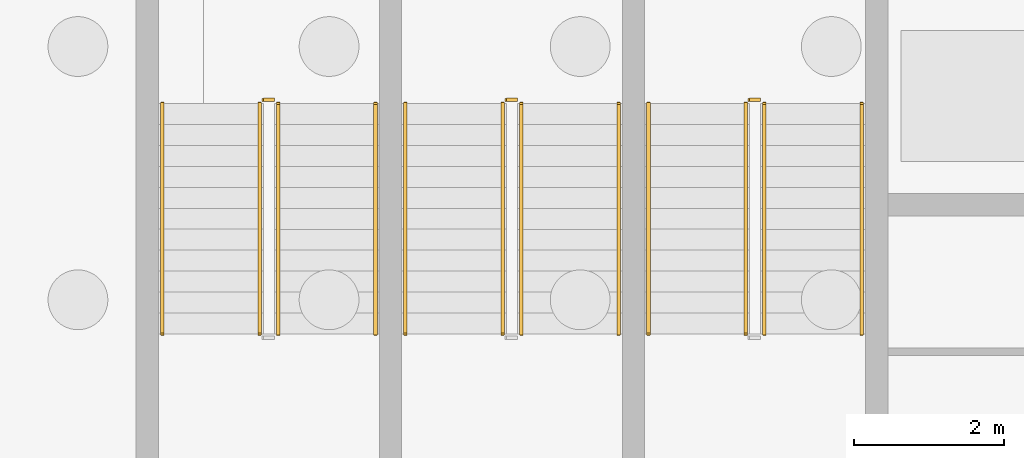
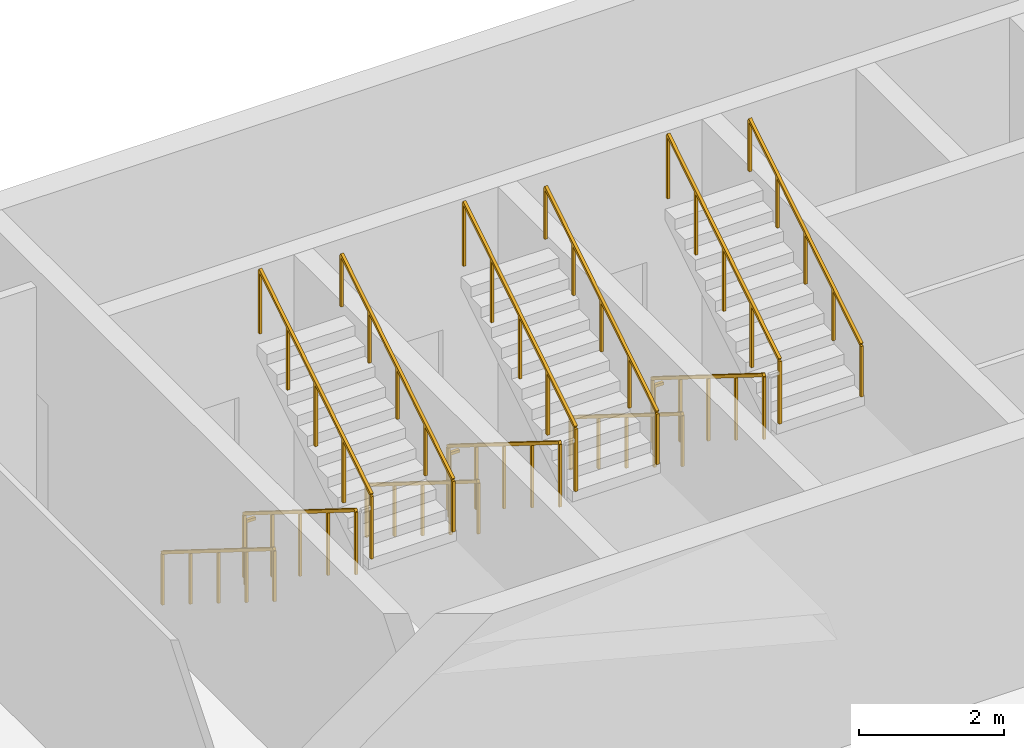
# One storey, part 28 of 32: 15 railings.
"""IFC4 building model written with IfcOpenShell, lengths in metres."""

from ifc_helpers import new_model, si_unit, direction, frame, origin, origin_2d, place, context, subcontext, project, spatial, rectangle, extrude, material, type_object, element, save


model = new_model("IFC4")

# Units and contexts
model_context = context("Model", 3, precision=1e-05, world=origin(), true_north=direction((0.0, 1.0)))
body_context = subcontext(model_context, "Body", "Model", "MODEL_VIEW")
ifc_project = project(units=[si_unit("LENGTHUNIT", "METRE"), si_unit("AREAUNIT", "SQUARE_METRE"), si_unit("VOLUMEUNIT", "CUBIC_METRE"), si_unit("PLANEANGLEUNIT", "RADIAN"), si_unit("MASSUNIT", "GRAM", prefix="KILO")], contexts=[model_context])

# Site, building, storey
site_placement = place(None, origin())
site = spatial("IfcSite", under=ifc_project, at=site_placement, CompositionType="ELEMENT")
building_placement = place(site_placement, origin())
building = spatial("IfcBuilding", under=site, at=building_placement, Name="Noorbagh Ring Tower", CompositionType="ELEMENT")
storey_placement = place(building_placement, frame((0.0, 0.0, -4.199951171875)))
storey = spatial("IfcBuildingStorey", under=building, at=storey_placement, Name="B1", CompositionType="ELEMENT", Elevation=-4.199951171875)

# Railings
ifc_material_1 = material(Name="Stainless steel", Category="steel")
railing_type_1 = type_object("IfcRailingType", Name="TH-STAIR-GUARD", PredefinedType="GUARDRAIL", material=ifc_material_1)
railing_1_placement = place(storey_placement, frame((-123.5, 26.25, 0.175048828125)))
element("IfcRailing", 1, at=railing_1_placement, inside=storey, type_object=railing_type_1, Name="B1 TSN1 stair guard 1", PredefinedType="GUARDRAIL", context=body_context, shape_type="SweptSolid", body=[
    extrude(rectangle(XDim=0.048095703125, YDim=0.048095703125, at=origin_2d()), frame((0.0, 0.0, 1.076171875), z_axis=(0.0, -0.848028513186, 0.529950602248), x_axis=(1.0, 0.0, 0.0)), (0.0, 0.0, 1.0), 3.632080078125),
    extrude(rectangle(XDim=0.0419921875, YDim=0.0419921875, at=origin_2d()), origin(), (0.0, 0.0, 1.0), 1.052001953125),
    extrude(rectangle(XDim=0.0419921875, YDim=0.0419921875, at=origin_2d()), frame((0.0, -0.77001953125, 0.481201171875)), (0.0, 0.0, 1.0), 1.052001953125),
    extrude(rectangle(XDim=0.0419921875, YDim=0.0419921875, at=origin_2d()), frame((0.0, -1.5400390625, 0.96240234375)), (0.0, 0.0, 1.0), 1.052001953125),
    extrude(rectangle(XDim=0.0419921875, YDim=0.0419921875, at=origin_2d()), frame((0.0, -2.31005859375, 1.443603515625)), (0.0, 0.0, 1.0), 1.052001953125),
    extrude(rectangle(XDim=0.0419921875, YDim=0.0419921875, at=origin_2d()), frame((0.0, -3.080078125, 1.9248046875)), (0.0, 0.0, 1.0), 1.052001953125),
])
railing_2_placement = place(storey_placement, frame((-123.25, 23.169921875, 2.27490234375)))
element("IfcRailing", 2, at=railing_2_placement, inside=storey, type_object=railing_type_1, Name="B1 TSN1 stair guard 3", PredefinedType="GUARDRAIL", context=body_context, shape_type="SweptSolid", body=[
    extrude(rectangle(XDim=0.048095703125, YDim=0.048095703125, at=origin_2d()), frame((0.0, 0.0, 1.076171875), z_axis=(0.0, 0.847998304005, 0.529998940003), x_axis=(-1.0, 0.0, 0.0)), (0.0, 0.0, 1.0), 3.632080078125),
    extrude(rectangle(XDim=0.0419921875, YDim=0.0419921875, at=origin_2d()), origin(), (0.0, 0.0, 1.0), 1.052001953125),
    extrude(rectangle(XDim=0.0419921875, YDim=0.0419921875, at=origin_2d()), frame((0.0, 0.77001953125, 0.481201171875)), (0.0, 0.0, 1.0), 1.052001953125),
    extrude(rectangle(XDim=0.0419921875, YDim=0.0419921875, at=origin_2d()), frame((0.0, 1.5400390625, 0.96240234375)), (0.0, 0.0, 1.0), 1.052001953125),
    extrude(rectangle(XDim=0.0419921875, YDim=0.0419921875, at=origin_2d()), frame((0.0, 2.31005859375, 1.44384765625)), (0.0, 0.0, 1.0), 1.052001953125),
    extrude(rectangle(XDim=0.0419921875, YDim=0.0419921875, at=origin_2d()), frame((0.0, 3.080078125, 1.925048828125)), (0.0, 0.0, 1.0), 1.052001953125),
])
railing_3_placement = place(storey_placement, frame((-123.449951171875, 26.300048828125, 0.0)))
element("IfcRailing", 3, at=railing_3_placement, inside=storey, type_object=railing_type_1, Name="B1 TSN1 stair guard 4", PredefinedType="GUARDRAIL", context=body_context, shape_type="SweptSolid", body=[
    extrude(rectangle(XDim=0.048095703125, YDim=0.048095703125, at=origin_2d()), frame((0.0, 0.0, 1.076171875), z_axis=(1.0, 0.0, 0.0), x_axis=(0.0, 1.0, 0.0)), (0.0, 0.0, 1.0), 0.14990234375),
    extrude(rectangle(XDim=0.0419921875, YDim=0.0419921875, at=origin_2d()), origin(), (0.0, 0.0, 1.0), 1.052001953125),
])
railing_4_placement = place(storey_placement, frame((-120.25, 26.25, 0.175048828125)))
element("IfcRailing", 4, at=railing_4_placement, inside=storey, type_object=railing_type_1, Name="B1 TSN2 stair guard 1", PredefinedType="GUARDRAIL", context=body_context, shape_type="SweptSolid", body=[
    extrude(rectangle(XDim=0.048095703125, YDim=0.048095703125, at=origin_2d()), frame((0.0, 0.0, 1.076171875), z_axis=(0.0, -0.848028513186, 0.529950602248), x_axis=(1.0, 0.0, 0.0)), (0.0, 0.0, 1.0), 3.632080078125),
    extrude(rectangle(XDim=0.0419921875, YDim=0.0419921875, at=origin_2d()), origin(), (0.0, 0.0, 1.0), 1.052001953125),
    extrude(rectangle(XDim=0.0419921875, YDim=0.0419921875, at=origin_2d()), frame((0.0, -0.77001953125, 0.481201171875)), (0.0, 0.0, 1.0), 1.052001953125),
    extrude(rectangle(XDim=0.0419921875, YDim=0.0419921875, at=origin_2d()), frame((0.0, -1.5400390625, 0.96240234375)), (0.0, 0.0, 1.0), 1.052001953125),
    extrude(rectangle(XDim=0.0419921875, YDim=0.0419921875, at=origin_2d()), frame((0.0, -2.31005859375, 1.443603515625)), (0.0, 0.0, 1.0), 1.052001953125),
    extrude(rectangle(XDim=0.0419921875, YDim=0.0419921875, at=origin_2d()), frame((0.0, -3.080078125, 1.9248046875)), (0.0, 0.0, 1.0), 1.052001953125),
])
railing_5_placement = place(storey_placement, frame((-120.0, 23.169921875, 2.27490234375)))
element("IfcRailing", 5, at=railing_5_placement, inside=storey, type_object=railing_type_1, Name="B1 TSN2 stair guard 3", PredefinedType="GUARDRAIL", context=body_context, shape_type="SweptSolid", body=[
    extrude(rectangle(XDim=0.048095703125, YDim=0.048095703125, at=origin_2d()), frame((0.0, 0.0, 1.076171875), z_axis=(0.0, 0.847998304005, 0.529998940003), x_axis=(-1.0, 0.0, 0.0)), (0.0, 0.0, 1.0), 3.632080078125),
    extrude(rectangle(XDim=0.0419921875, YDim=0.0419921875, at=origin_2d()), origin(), (0.0, 0.0, 1.0), 1.052001953125),
    extrude(rectangle(XDim=0.0419921875, YDim=0.0419921875, at=origin_2d()), frame((0.0, 0.77001953125, 0.481201171875)), (0.0, 0.0, 1.0), 1.052001953125),
    extrude(rectangle(XDim=0.0419921875, YDim=0.0419921875, at=origin_2d()), frame((0.0, 1.5400390625, 0.96240234375)), (0.0, 0.0, 1.0), 1.052001953125),
    extrude(rectangle(XDim=0.0419921875, YDim=0.0419921875, at=origin_2d()), frame((0.0, 2.31005859375, 1.44384765625)), (0.0, 0.0, 1.0), 1.052001953125),
    extrude(rectangle(XDim=0.0419921875, YDim=0.0419921875, at=origin_2d()), frame((0.0, 3.080078125, 1.925048828125)), (0.0, 0.0, 1.0), 1.052001953125),
])
railing_6_placement = place(storey_placement, frame((-120.199951171875, 26.300048828125, 0.0)))
element("IfcRailing", 6, at=railing_6_placement, inside=storey, type_object=railing_type_1, Name="B1 TSN2 stair guard 4", PredefinedType="GUARDRAIL", context=body_context, shape_type="SweptSolid", body=[
    extrude(rectangle(XDim=0.048095703125, YDim=0.048095703125, at=origin_2d()), frame((0.0, 0.0, 1.076171875), z_axis=(1.0, 0.0, 0.0), x_axis=(0.0, 1.0, 0.0)), (0.0, 0.0, 1.0), 0.14990234375),
    extrude(rectangle(XDim=0.0419921875, YDim=0.0419921875, at=origin_2d()), origin(), (0.0, 0.0, 1.0), 1.052001953125),
])
railing_7_placement = place(storey_placement, frame((-126.75, 26.25, 0.175048828125)))
element("IfcRailing", 7, at=railing_7_placement, inside=storey, type_object=railing_type_1, Name="B1 TSN3 stair guard 1", PredefinedType="GUARDRAIL", context=body_context, shape_type="SweptSolid", body=[
    extrude(rectangle(XDim=0.048095703125, YDim=0.048095703125, at=origin_2d()), frame((0.0, 0.0, 1.076171875), z_axis=(0.0, -0.848028513186, 0.529950602248), x_axis=(1.0, 0.0, 0.0)), (0.0, 0.0, 1.0), 3.632080078125),
    extrude(rectangle(XDim=0.0419921875, YDim=0.0419921875, at=origin_2d()), origin(), (0.0, 0.0, 1.0), 1.052001953125),
    extrude(rectangle(XDim=0.0419921875, YDim=0.0419921875, at=origin_2d()), frame((0.0, -0.77001953125, 0.481201171875)), (0.0, 0.0, 1.0), 1.052001953125),
    extrude(rectangle(XDim=0.0419921875, YDim=0.0419921875, at=origin_2d()), frame((0.0, -1.5400390625, 0.96240234375)), (0.0, 0.0, 1.0), 1.052001953125),
    extrude(rectangle(XDim=0.0419921875, YDim=0.0419921875, at=origin_2d()), frame((0.0, -2.31005859375, 1.443603515625)), (0.0, 0.0, 1.0), 1.052001953125),
    extrude(rectangle(XDim=0.0419921875, YDim=0.0419921875, at=origin_2d()), frame((0.0, -3.080078125, 1.9248046875)), (0.0, 0.0, 1.0), 1.052001953125),
])
railing_8_placement = place(storey_placement, frame((-126.5, 23.169921875, 2.27490234375)))
element("IfcRailing", 8, at=railing_8_placement, inside=storey, type_object=railing_type_1, Name="B1 TSN3 stair guard 3", PredefinedType="GUARDRAIL", context=body_context, shape_type="SweptSolid", body=[
    extrude(rectangle(XDim=0.048095703125, YDim=0.048095703125, at=origin_2d()), frame((0.0, 0.0, 1.076171875), z_axis=(0.0, 0.847998304005, 0.529998940003), x_axis=(-1.0, 0.0, 0.0)), (0.0, 0.0, 1.0), 3.632080078125),
    extrude(rectangle(XDim=0.0419921875, YDim=0.0419921875, at=origin_2d()), origin(), (0.0, 0.0, 1.0), 1.052001953125),
    extrude(rectangle(XDim=0.0419921875, YDim=0.0419921875, at=origin_2d()), frame((0.0, 0.77001953125, 0.481201171875)), (0.0, 0.0, 1.0), 1.052001953125),
    extrude(rectangle(XDim=0.0419921875, YDim=0.0419921875, at=origin_2d()), frame((0.0, 1.5400390625, 0.96240234375)), (0.0, 0.0, 1.0), 1.052001953125),
    extrude(rectangle(XDim=0.0419921875, YDim=0.0419921875, at=origin_2d()), frame((0.0, 2.31005859375, 1.44384765625)), (0.0, 0.0, 1.0), 1.052001953125),
    extrude(rectangle(XDim=0.0419921875, YDim=0.0419921875, at=origin_2d()), frame((0.0, 3.080078125, 1.925048828125)), (0.0, 0.0, 1.0), 1.052001953125),
])
railing_9_placement = place(storey_placement, frame((-126.699951171875, 26.300048828125, 0.0)))
element("IfcRailing", 9, at=railing_9_placement, inside=storey, type_object=railing_type_1, Name="B1 TSN3 stair guard 4", PredefinedType="GUARDRAIL", context=body_context, shape_type="SweptSolid", body=[
    extrude(rectangle(XDim=0.048095703125, YDim=0.048095703125, at=origin_2d()), frame((0.0, 0.0, 1.076171875), z_axis=(1.0, 0.0, 0.0), x_axis=(0.0, 1.0, 0.0)), (0.0, 0.0, 1.0), 0.14990234375),
    extrude(rectangle(XDim=0.0419921875, YDim=0.0419921875, at=origin_2d()), origin(), (0.0, 0.0, 1.0), 1.052001953125),
])
ifc_material_2 = material(Name="Stainless steel", Category="steel")
railing_type_2 = type_object("IfcRailingType", Name="TH-STAIR-HANDRAIL", PredefinedType="HANDRAIL", material=ifc_material_2)
railing_10_placement = place(storey_placement, frame((-124.800048828125, 26.25, 0.175048828125)))
element("IfcRailing", 10, at=railing_10_placement, inside=storey, type_object=railing_type_2, Name="B1 TSN1 stair handrail 1", PredefinedType="HANDRAIL", context=body_context, shape_type="SweptSolid", body=[
    extrude(rectangle(XDim=0.048095703125, YDim=0.048095703125, at=origin_2d()), frame((0.0, 0.0, 0.8759765625), z_axis=(0.0, -0.848028513186, 0.529950602248), x_axis=(1.0, 0.0, 0.0)), (0.0, 0.0, 1.0), 3.632080078125),
    extrude(rectangle(XDim=0.0419921875, YDim=0.0419921875, at=origin_2d()), origin(), (0.0, 0.0, 1.0), 0.851806640625),
    extrude(rectangle(XDim=0.0419921875, YDim=0.0419921875, at=origin_2d()), frame((0.0, -0.77001953125, 0.481201171875)), (0.0, 0.0, 1.0), 0.851806640625),
    extrude(rectangle(XDim=0.0419921875, YDim=0.0419921875, at=origin_2d()), frame((0.0, -1.5400390625, 0.96240234375)), (0.0, 0.0, 1.0), 0.851806640625),
    extrude(rectangle(XDim=0.0419921875, YDim=0.0419921875, at=origin_2d()), frame((0.0, -2.31005859375, 1.443603515625)), (0.0, 0.0, 1.0), 0.851806640625),
    extrude(rectangle(XDim=0.0419921875, YDim=0.0419921875, at=origin_2d()), frame((0.0, -3.080078125, 1.9248046875)), (0.0, 0.0, 1.0), 0.851806640625),
])
railing_11_placement = place(storey_placement, frame((-121.949951171875, 23.169921875, 2.27490234375)))
element("IfcRailing", 11, at=railing_11_placement, inside=storey, type_object=railing_type_2, Name="B1 TSN1 stair handrail 2", PredefinedType="HANDRAIL", context=body_context, shape_type="SweptSolid", body=[
    extrude(rectangle(XDim=0.048095703125, YDim=0.048095703125, at=origin_2d()), frame((0.0, 0.0, 0.8759765625), z_axis=(0.0, 0.847998304005, 0.529998940003), x_axis=(-1.0, 0.0, 0.0)), (0.0, 0.0, 1.0), 3.632080078125),
    extrude(rectangle(XDim=0.0419921875, YDim=0.0419921875, at=origin_2d()), origin(), (0.0, 0.0, 1.0), 0.851806640625),
    extrude(rectangle(XDim=0.0419921875, YDim=0.0419921875, at=origin_2d()), frame((0.0, 0.77001953125, 0.481201171875)), (0.0, 0.0, 1.0), 0.851806640625),
    extrude(rectangle(XDim=0.0419921875, YDim=0.0419921875, at=origin_2d()), frame((0.0, 1.5400390625, 0.96240234375)), (0.0, 0.0, 1.0), 0.851806640625),
    extrude(rectangle(XDim=0.0419921875, YDim=0.0419921875, at=origin_2d()), frame((0.0, 2.31005859375, 1.44384765625)), (0.0, 0.0, 1.0), 0.851806640625),
    extrude(rectangle(XDim=0.0419921875, YDim=0.0419921875, at=origin_2d()), frame((0.0, 3.080078125, 1.925048828125)), (0.0, 0.0, 1.0), 0.851806640625),
])
railing_12_placement = place(storey_placement, frame((-121.550048828125, 26.25, 0.175048828125)))
element("IfcRailing", 12, at=railing_12_placement, inside=storey, type_object=railing_type_2, Name="B1 TSN2 stair handrail 1", PredefinedType="HANDRAIL", context=body_context, shape_type="SweptSolid", body=[
    extrude(rectangle(XDim=0.048095703125, YDim=0.048095703125, at=origin_2d()), frame((0.0, 0.0, 0.8759765625), z_axis=(0.0, -0.848028513186, 0.529950602248), x_axis=(1.0, 0.0, 0.0)), (0.0, 0.0, 1.0), 3.632080078125),
    extrude(rectangle(XDim=0.0419921875, YDim=0.0419921875, at=origin_2d()), origin(), (0.0, 0.0, 1.0), 0.851806640625),
    extrude(rectangle(XDim=0.0419921875, YDim=0.0419921875, at=origin_2d()), frame((0.0, -0.77001953125, 0.481201171875)), (0.0, 0.0, 1.0), 0.851806640625),
    extrude(rectangle(XDim=0.0419921875, YDim=0.0419921875, at=origin_2d()), frame((0.0, -1.5400390625, 0.96240234375)), (0.0, 0.0, 1.0), 0.851806640625),
    extrude(rectangle(XDim=0.0419921875, YDim=0.0419921875, at=origin_2d()), frame((0.0, -2.31005859375, 1.443603515625)), (0.0, 0.0, 1.0), 0.851806640625),
    extrude(rectangle(XDim=0.0419921875, YDim=0.0419921875, at=origin_2d()), frame((0.0, -3.080078125, 1.9248046875)), (0.0, 0.0, 1.0), 0.851806640625),
])
railing_13_placement = place(storey_placement, frame((-118.699951171875, 23.169921875, 2.27490234375)))
element("IfcRailing", 13, at=railing_13_placement, inside=storey, type_object=railing_type_2, Name="B1 TSN2 stair handrail 2", PredefinedType="HANDRAIL", context=body_context, shape_type="SweptSolid", body=[
    extrude(rectangle(XDim=0.048095703125, YDim=0.048095703125, at=origin_2d()), frame((0.0, 0.0, 0.8759765625), z_axis=(0.0, 0.847998304005, 0.529998940003), x_axis=(-1.0, 0.0, 0.0)), (0.0, 0.0, 1.0), 3.632080078125),
    extrude(rectangle(XDim=0.0419921875, YDim=0.0419921875, at=origin_2d()), origin(), (0.0, 0.0, 1.0), 0.851806640625),
    extrude(rectangle(XDim=0.0419921875, YDim=0.0419921875, at=origin_2d()), frame((0.0, 0.77001953125, 0.481201171875)), (0.0, 0.0, 1.0), 0.851806640625),
    extrude(rectangle(XDim=0.0419921875, YDim=0.0419921875, at=origin_2d()), frame((0.0, 1.5400390625, 0.96240234375)), (0.0, 0.0, 1.0), 0.851806640625),
    extrude(rectangle(XDim=0.0419921875, YDim=0.0419921875, at=origin_2d()), frame((0.0, 2.31005859375, 1.44384765625)), (0.0, 0.0, 1.0), 0.851806640625),
    extrude(rectangle(XDim=0.0419921875, YDim=0.0419921875, at=origin_2d()), frame((0.0, 3.080078125, 1.925048828125)), (0.0, 0.0, 1.0), 0.851806640625),
])
railing_14_placement = place(storey_placement, frame((-128.050048828125, 26.25, 0.175048828125)))
element("IfcRailing", 14, at=railing_14_placement, inside=storey, type_object=railing_type_2, Name="B1 TSN3 stair handrail 1", PredefinedType="HANDRAIL", context=body_context, shape_type="SweptSolid", body=[
    extrude(rectangle(XDim=0.048095703125, YDim=0.048095703125, at=origin_2d()), frame((0.0, 0.0, 0.8759765625), z_axis=(0.0, -0.848028513186, 0.529950602248), x_axis=(1.0, 0.0, 0.0)), (0.0, 0.0, 1.0), 3.632080078125),
    extrude(rectangle(XDim=0.0419921875, YDim=0.0419921875, at=origin_2d()), origin(), (0.0, 0.0, 1.0), 0.851806640625),
    extrude(rectangle(XDim=0.0419921875, YDim=0.0419921875, at=origin_2d()), frame((0.0, -0.77001953125, 0.481201171875)), (0.0, 0.0, 1.0), 0.851806640625),
    extrude(rectangle(XDim=0.0419921875, YDim=0.0419921875, at=origin_2d()), frame((0.0, -1.5400390625, 0.96240234375)), (0.0, 0.0, 1.0), 0.851806640625),
    extrude(rectangle(XDim=0.0419921875, YDim=0.0419921875, at=origin_2d()), frame((0.0, -2.31005859375, 1.443603515625)), (0.0, 0.0, 1.0), 0.851806640625),
    extrude(rectangle(XDim=0.0419921875, YDim=0.0419921875, at=origin_2d()), frame((0.0, -3.080078125, 1.9248046875)), (0.0, 0.0, 1.0), 0.851806640625),
])
railing_15_placement = place(storey_placement, frame((-125.199951171875, 23.169921875, 2.27490234375)))
element("IfcRailing", 15, at=railing_15_placement, inside=storey, type_object=railing_type_2, Name="B1 TSN3 stair handrail 2", PredefinedType="HANDRAIL", context=body_context, shape_type="SweptSolid", body=[
    extrude(rectangle(XDim=0.048095703125, YDim=0.048095703125, at=origin_2d()), frame((0.0, 0.0, 0.8759765625), z_axis=(0.0, 0.847998304005, 0.529998940003), x_axis=(-1.0, 0.0, 0.0)), (0.0, 0.0, 1.0), 3.632080078125),
    extrude(rectangle(XDim=0.0419921875, YDim=0.0419921875, at=origin_2d()), origin(), (0.0, 0.0, 1.0), 0.851806640625),
    extrude(rectangle(XDim=0.0419921875, YDim=0.0419921875, at=origin_2d()), frame((0.0, 0.77001953125, 0.481201171875)), (0.0, 0.0, 1.0), 0.851806640625),
    extrude(rectangle(XDim=0.0419921875, YDim=0.0419921875, at=origin_2d()), frame((0.0, 1.5400390625, 0.96240234375)), (0.0, 0.0, 1.0), 0.851806640625),
    extrude(rectangle(XDim=0.0419921875, YDim=0.0419921875, at=origin_2d()), frame((0.0, 2.31005859375, 1.44384765625)), (0.0, 0.0, 1.0), 0.851806640625),
    extrude(rectangle(XDim=0.0419921875, YDim=0.0419921875, at=origin_2d()), frame((0.0, 3.080078125, 1.925048828125)), (0.0, 0.0, 1.0), 0.851806640625),
])

save(model, "model.ifc")
